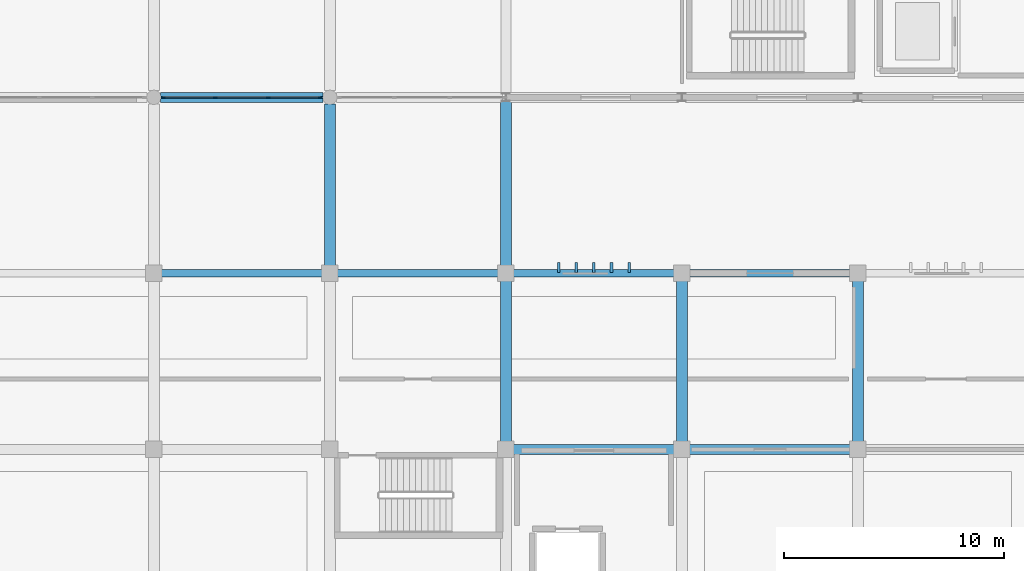
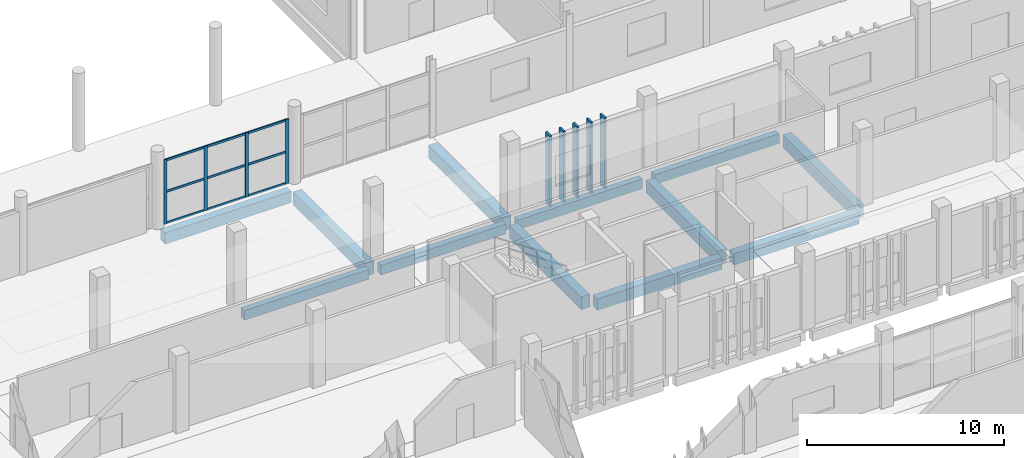
# One storey, part 54 of 117: 18 members, 12 beams, 1 element without a shape of its own.
"""IFC4 building model written with IfcOpenShell, lengths in metres."""

from ifc_helpers import new_model, si_unit, direction, frame, origin, origin_2d, place, context, subcontext, project, spatial, rectangle, extrude, material, layer, layer_set, material_profile, profile_set, type_object, element, aggregate, save


model = new_model("IFC4")

# Units and contexts
model_context = context("Model", 3, precision=1e-05, world=origin(), true_north=direction((0.0, 1.0)))
body_context = subcontext(model_context, "Body", "Model", "MODEL_VIEW")
ifc_project = project(units=[si_unit("LENGTHUNIT", "METRE"), si_unit("AREAUNIT", "SQUARE_METRE"), si_unit("VOLUMEUNIT", "CUBIC_METRE"), si_unit("PLANEANGLEUNIT", "RADIAN"), si_unit("MASSUNIT", "GRAM", prefix="KILO")], contexts=[model_context])

# Site, building, storey
site_placement = place(None, origin())
site = spatial("IfcSite", under=ifc_project, at=site_placement, CompositionType="ELEMENT")
building_placement = place(site_placement, origin())
building = spatial("IfcBuilding", under=site, at=building_placement, Name="Jelvoka-Kovrelna Polytechnic", CompositionType="ELEMENT")
storey_placement = place(building_placement, origin())
storey = spatial("IfcBuildingStorey", under=building, at=storey_placement, Name="L01", CompositionType="ELEMENT", Elevation=0.0)

# Beams
ifc_material_1 = material(Name="Concrete C40/50", Category="concrete")
ifc_material_profile_1 = material_profile(ifc_material_1, rectangle(XDim=0.449951171875, YDim=0.699951171875, at=origin_2d()), Name="RC 450x700")
ifc_profile_set_1 = profile_set([ifc_material_profile_1], Name="Concrete C40/50")
beam_type_1 = type_object("IfcBeamType", Name="Beam_RC_450x700", PredefinedType="BEAM", material=ifc_profile_set_1)
beam_1_placement = place(storey_placement, frame((72.304931640625, 80.0, -0.7548828125), z_axis=(1.0, 0.0, 0.0), x_axis=(0.0, 1.0, 0.0)))
element("IfcBeam", 1, at=beam_1_placement, inside=storey, type_object=beam_type_1, Name="L01 beam 0284", PredefinedType="BEAM", context=body_context, shape_type="SweptSolid", body=[
    extrude(rectangle(XDim=0.449951171875, YDim=0.699951171875, at=origin_2d()), origin(), (0.0, 0.0, 1.0), 7.39013671875),
])
for number, where, z_axis, x_axis, name in (
    (2, (88.35498046875, 64.0, -0.7548828125), (1.0, 0.0, 0.0), (0.0, 1.0, 0.0), "L01 beam 0453"),
    (3, (96.35498046875, 64.0, -0.7548828125), (1.0, 0.0, 0.0), (0.0, 1.0, 0.0), "L01 beam 0454"),
):
    element("IfcBeam", number, at=place(storey_placement, frame(where, z_axis=z_axis, x_axis=x_axis)), inside=storey, type_object=beam_type_1, Name=name, PredefinedType="BEAM", context=body_context, shape_type="SweptSolid", body=[
        extrude(rectangle(XDim=0.449951171875, YDim=0.699951171875, at=origin_2d()), origin(), (0.0, 0.0, 1.0), 7.2900390625),
    ])
ifc_material_2 = material(Name="Concrete C40/50", Category="concrete")
ifc_material_profile_2 = material_profile(ifc_material_2, rectangle(XDim=0.5, YDim=0.800048828125, at=origin_2d()), Name="RC 500x800")
ifc_profile_set_2 = profile_set([ifc_material_profile_2], Name="Concrete C40/50")
beam_type_2 = type_object("IfcBeamType", Name="Beam_RC_500x800", PredefinedType="BEAM", material=ifc_profile_set_2)
beam_2_placement = place(storey_placement, frame((80.0, 72.35498046875, -0.804931640625), z_axis=(0.0, 1.0, 0.0), x_axis=(-1.0, 0.0, 0.0)))
element("IfcBeam", 4, at=beam_2_placement, inside=storey, type_object=beam_type_2, Name="L01 beam 0299", PredefinedType="BEAM", context=body_context, shape_type="SweptSolid", body=[
    extrude(rectangle(XDim=0.5, YDim=0.800048828125, at=origin_2d()), origin(), (0.0, 0.0, 1.0), 7.340087890625),
])
beam_3_placement = place(storey_placement, frame((88.0, 72.35498046875, -0.804931640625), z_axis=(0.0, 1.0, 0.0), x_axis=(-1.0, 0.0, 0.0)))
element("IfcBeam", 5, at=beam_3_placement, inside=storey, type_object=beam_type_2, Name="L01 beam 0301", PredefinedType="BEAM", context=body_context, shape_type="SweptSolid", body=[
    extrude(rectangle(XDim=0.5, YDim=0.800048828125, at=origin_2d()), origin(), (0.0, 0.0, 1.0), 7.4873046875),
])
for number, where, z_axis, x_axis, name in (
    (6, (88.0, 64.35498046875, -0.804931640625), (0.0, 1.0, 0.0), (-1.0, 0.0, 0.0), "L01 beam 0468"),
    (7, (96.0, 64.35498046875, -0.804931640625), (0.0, 1.0, 0.0), (-1.0, 0.0, 0.0), "L01 beam 0470"),
    (8, (104.0, 64.35498046875, -0.804931640625), (0.0, 1.0, 0.0), (-1.0, 0.0, 0.0), "L01 beam 0472"),
):
    element("IfcBeam", number, at=place(storey_placement, frame(where, z_axis=z_axis, x_axis=x_axis)), inside=storey, type_object=beam_type_2, Name=name, PredefinedType="BEAM", context=body_context, shape_type="SweptSolid", body=[
        extrude(rectangle(XDim=0.5, YDim=0.800048828125, at=origin_2d()), origin(), (0.0, 0.0, 1.0), 7.2900390625),
    ])

# Members
ifc_material_3 = material(Name="Precast concrete C40/50", Category="concrete")
ifc_material_profile_3 = material_profile(ifc_material_3, rectangle(XDim=0.1201171875, YDim=0.449951171875, at=origin_2d()), Name="PC 120x450")
ifc_profile_set_3 = profile_set([ifc_material_profile_3], Name="Precast concrete C40/50")
member_type_1 = type_object("IfcMemberType", Name="Louvre_Fin_120x450", PredefinedType="USERDEFINED", material=ifc_profile_set_3)
for number, where, z_axis, x_axis, name in (
    (9, (90.39990234375, 72.264892578125, -0.419921875), (0.0, 0.0, 1.0), (1.0, 0.0, 0.0), "L01 B3 north vertical solar louvre fin 1226"),
    (10, (91.199951171875, 72.264892578125, -0.419921875), (0.0, 0.0, 1.0), (1.0, 0.0, 0.0), "L01 B3 north vertical solar louvre fin 1227"),
    (11, (92.0, 72.264892578125, -0.419921875), (0.0, 0.0, 1.0), (1.0, 0.0, 0.0), "L01 B3 north vertical solar louvre fin 1228"),
    (12, (92.800048828125, 72.264892578125, -0.419921875), (0.0, 0.0, 1.0), (1.0, 0.0, 0.0), "L01 B3 north vertical solar louvre fin 1229"),
    (13, (93.60009765625, 72.264892578125, -0.419921875), (0.0, 0.0, 1.0), (1.0, 0.0, 0.0), "L01 B3 north vertical solar louvre fin 1230"),
):
    element("IfcMember", number, at=place(storey_placement, frame(where, z_axis=z_axis, x_axis=x_axis)), inside=storey, type_object=member_type_1, Name=name, ObjectType="SUNSHADE", PredefinedType="USERDEFINED", context=body_context, shape_type="SweptSolid", body=[
        extrude(rectangle(XDim=0.1201171875, YDim=0.449951171875, at=origin_2d()), origin(), (0.0, 0.0, 1.0), 4.3798828125),
    ])

# Curtain wall, members
ifc_material_4 = material(Name="Anodised aluminium 6063-T6", Category="aluminium")
ifc_layer = layer(ifc_material_4, 0.179931640625)
ifc_layer_set = layer_set([ifc_layer], Name="Anodised aluminium 6063-T6")
curtain_wall_type = type_object("IfcCurtainWallType", Name="CW_Pavilion", PredefinedType="NOTDEFINED", material=ifc_layer_set)
curtain_wall_placement = place(storey_placement, origin())
curtain_wall = element("IfcCurtainWall", 14, at=curtain_wall_placement, inside=storey, type_object=curtain_wall_type, Name="L01 glazed curtain wall 167", PredefinedType="NOTDEFINED")
ifc_material_5 = material(Name="Anodised aluminium 6063-T6", Category="aluminium")
ifc_material_profile_4 = material_profile(ifc_material_5, rectangle(XDim=0.06494140625, YDim=0.179931640625, at=origin_2d()), Name="ALU 65x180")
ifc_profile_set_4 = profile_set([ifc_material_profile_4], Name="Anodised aluminium 6063-T6")
member_type_2 = type_object("IfcMemberType", Name="Mullion_M-05", PredefinedType="MULLION", material=ifc_profile_set_4)
member_1_placement = place(storey_placement, frame((72.4326171875, 80.0, -0.02490234375), z_axis=(0.0, 0.0, 1.0), x_axis=(0.0, 1.0, 0.0)))
member_1 = element("IfcMember", 15, at=member_1_placement, type_object=member_type_2, Name="CW-05 mullion 1", PredefinedType="MULLION", context=body_context, shape_type="SweptSolid", body=[
    extrude(rectangle(XDim=0.06494140625, YDim=0.179931640625, at=origin_2d()), origin(), (0.0, 0.0, 1.0), 4.005126953125),
])
member_2_placement = place(storey_placement, frame((74.800048828125, 80.0, -0.02490234375), z_axis=(0.0, 0.0, 1.0), x_axis=(0.0, 1.0, 0.0)))
member_2 = element("IfcMember", 16, at=member_2_placement, type_object=member_type_2, Name="CW-05 mullion 2", PredefinedType="MULLION", context=body_context, shape_type="SweptSolid", body=[
    extrude(rectangle(XDim=0.06494140625, YDim=0.179931640625, at=origin_2d()), origin(), (0.0, 0.0, 1.0), 4.005126953125),
])
member_3_placement = place(storey_placement, frame((77.199951171875, 80.0, -0.02490234375), z_axis=(0.0, 0.0, 1.0), x_axis=(0.0, 1.0, 0.0)))
member_3 = element("IfcMember", 17, at=member_3_placement, type_object=member_type_2, Name="CW-05 mullion 3", PredefinedType="MULLION", context=body_context, shape_type="SweptSolid", body=[
    extrude(rectangle(XDim=0.06494140625, YDim=0.179931640625, at=origin_2d()), origin(), (0.0, 0.0, 1.0), 4.005126953125),
])
member_4_placement = place(storey_placement, frame((79.5673828125, 80.0, -0.02490234375), z_axis=(0.0, 0.0, 1.0), x_axis=(0.0, 1.0, 0.0)))
member_4 = element("IfcMember", 18, at=member_4_placement, type_object=member_type_2, Name="CW-05 mullion 4", PredefinedType="MULLION", context=body_context, shape_type="SweptSolid", body=[
    extrude(rectangle(XDim=0.06494140625, YDim=0.179931640625, at=origin_2d()), origin(), (0.0, 0.0, 1.0), 4.005126953125),
])

# Beams
ifc_material_6 = material(Name="Concrete C40/50", Category="concrete")
ifc_material_profile_5 = material_profile(ifc_material_6, rectangle(XDim=0.35009765625, YDim=0.60009765625, at=origin_2d()), Name="RC 350x600")
ifc_profile_set_5 = profile_set([ifc_material_profile_5], Name="Concrete C40/50")
beam_type_3 = type_object("IfcBeamType", Name="Spandrel_RC_350x600", PredefinedType="SPANDREL", material=ifc_profile_set_5)
for number, where, z_axis, x_axis, name in (
    (19, (72.35498046875, 72.0, -0.705078125), (1.0, 0.0, 0.0), (0.0, 1.0, 0.0), "L01 beam 0279"),
    (20, (80.35498046875, 72.0, -0.705078125), (1.0, 0.0, 0.0), (0.0, 1.0, 0.0), "L01 beam 0280"),
    (21, (88.35498046875, 72.0, -0.705078125), (1.0, 0.0, 0.0), (0.0, 1.0, 0.0), "L01 beam 0456"),
    (22, (96.35498046875, 72.0, -0.705078125), (1.0, 0.0, 0.0), (0.0, 1.0, 0.0), "L01 beam 0457"),
):
    element("IfcBeam", number, at=place(storey_placement, frame(where, z_axis=z_axis, x_axis=x_axis)), inside=storey, type_object=beam_type_3, Name=name, PredefinedType="SPANDREL", context=body_context, shape_type="SweptSolid", body=[
        extrude(rectangle(XDim=0.35009765625, YDim=0.60009765625, at=origin_2d()), origin(), (0.0, 0.0, 1.0), 7.2900390625),
    ])

# Member
ifc_material_7 = material(Name="Anodised aluminium 6063-T6", Category="aluminium")
ifc_material_profile_6 = material_profile(ifc_material_7, rectangle(XDim=0.06494140625, YDim=0.135009765625, at=origin_2d()), Name="ALU 65x135")
ifc_profile_set_6 = profile_set([ifc_material_profile_6], Name="Anodised aluminium 6063-T6")
member_type_3 = type_object("IfcMemberType", Name="Transom_T-05", PredefinedType="USERDEFINED", material=ifc_profile_set_6)
member_5_placement = place(storey_placement, frame((72.465087890625, 80.0, 0.032470703125), z_axis=(1.0, 0.0, 0.0), x_axis=(0.0, 1.0, 0.0)))
member_5 = element("IfcMember", 23, at=member_5_placement, type_object=member_type_3, Name="CW-05 transom 1.1", ObjectType="TRANSOM", PredefinedType="USERDEFINED", context=body_context, shape_type="SweptSolid", body=[
    extrude(rectangle(XDim=0.06494140625, YDim=0.135009765625, at=origin_2d()), origin(), (0.0, 0.0, 1.0), 2.302490234375),
])

member_6_placement = place(storey_placement, frame((72.465087890625, 80.0, 1.9775390625), z_axis=(1.0, 0.0, 0.0), x_axis=(0.0, 1.0, 0.0)))
member_6 = element("IfcMember", 24, at=member_6_placement, type_object=member_type_3, Name="CW-05 transom 1.2", ObjectType="TRANSOM", PredefinedType="USERDEFINED", context=body_context, shape_type="SweptSolid", body=[
    extrude(rectangle(XDim=0.06494140625, YDim=0.135009765625, at=origin_2d()), origin(), (0.0, 0.0, 1.0), 2.302490234375),
])

member_7_placement = place(storey_placement, frame((72.465087890625, 80.0, 3.922607421875), z_axis=(1.0, 0.0, 0.0), x_axis=(0.0, 1.0, 0.0)))
member_7 = element("IfcMember", 25, at=member_7_placement, type_object=member_type_3, Name="CW-05 transom 1.3", ObjectType="TRANSOM", PredefinedType="USERDEFINED", context=body_context, shape_type="SweptSolid", body=[
    extrude(rectangle(XDim=0.06494140625, YDim=0.135009765625, at=origin_2d()), origin(), (0.0, 0.0, 1.0), 2.302490234375),
])

member_8_placement = place(storey_placement, frame((74.83251953125, 80.0, 0.032470703125), z_axis=(1.0, 0.0, 0.0), x_axis=(0.0, 1.0, 0.0)))
member_8 = element("IfcMember", 26, at=member_8_placement, type_object=member_type_3, Name="CW-05 transom 2.1", ObjectType="TRANSOM", PredefinedType="USERDEFINED", context=body_context, shape_type="SweptSolid", body=[
    extrude(rectangle(XDim=0.06494140625, YDim=0.135009765625, at=origin_2d()), origin(), (0.0, 0.0, 1.0), 2.3349609375),
])

member_9_placement = place(storey_placement, frame((74.83251953125, 80.0, 1.9775390625), z_axis=(1.0, 0.0, 0.0), x_axis=(0.0, 1.0, 0.0)))
member_9 = element("IfcMember", 27, at=member_9_placement, type_object=member_type_3, Name="CW-05 transom 2.2", ObjectType="TRANSOM", PredefinedType="USERDEFINED", context=body_context, shape_type="SweptSolid", body=[
    extrude(rectangle(XDim=0.06494140625, YDim=0.135009765625, at=origin_2d()), origin(), (0.0, 0.0, 1.0), 2.3349609375),
])

member_10_placement = place(storey_placement, frame((74.83251953125, 80.0, 3.922607421875), z_axis=(1.0, 0.0, 0.0), x_axis=(0.0, 1.0, 0.0)))
member_10 = element("IfcMember", 28, at=member_10_placement, type_object=member_type_3, Name="CW-05 transom 2.3", ObjectType="TRANSOM", PredefinedType="USERDEFINED", context=body_context, shape_type="SweptSolid", body=[
    extrude(rectangle(XDim=0.06494140625, YDim=0.135009765625, at=origin_2d()), origin(), (0.0, 0.0, 1.0), 2.3349609375),
])

member_11_placement = place(storey_placement, frame((77.232421875, 80.0, 0.032470703125), z_axis=(1.0, 0.0, 0.0), x_axis=(0.0, 1.0, 0.0)))
member_11 = element("IfcMember", 29, at=member_11_placement, type_object=member_type_3, Name="CW-05 transom 3.1", ObjectType="TRANSOM", PredefinedType="USERDEFINED", context=body_context, shape_type="SweptSolid", body=[
    extrude(rectangle(XDim=0.06494140625, YDim=0.135009765625, at=origin_2d()), origin(), (0.0, 0.0, 1.0), 2.302490234375),
])

member_12_placement = place(storey_placement, frame((77.232421875, 80.0, 1.9775390625), z_axis=(1.0, 0.0, 0.0), x_axis=(0.0, 1.0, 0.0)))
member_12 = element("IfcMember", 30, at=member_12_placement, type_object=member_type_3, Name="CW-05 transom 3.2", ObjectType="TRANSOM", PredefinedType="USERDEFINED", context=body_context, shape_type="SweptSolid", body=[
    extrude(rectangle(XDim=0.06494140625, YDim=0.135009765625, at=origin_2d()), origin(), (0.0, 0.0, 1.0), 2.302490234375),
])

member_13_placement = place(storey_placement, frame((77.232421875, 80.0, 3.922607421875), z_axis=(1.0, 0.0, 0.0), x_axis=(0.0, 1.0, 0.0)))
member_13 = element("IfcMember", 31, at=member_13_placement, type_object=member_type_3, Name="CW-05 transom 3.3", ObjectType="TRANSOM", PredefinedType="USERDEFINED", context=body_context, shape_type="SweptSolid", body=[
    extrude(rectangle(XDim=0.06494140625, YDim=0.135009765625, at=origin_2d()), origin(), (0.0, 0.0, 1.0), 2.302490234375),
])

aggregate(curtain_wall, [member_1, member_2, member_3, member_4, member_5, member_6, member_7, member_8, member_9, member_10, member_11, member_12, member_13])

save(model, "model.ifc")
